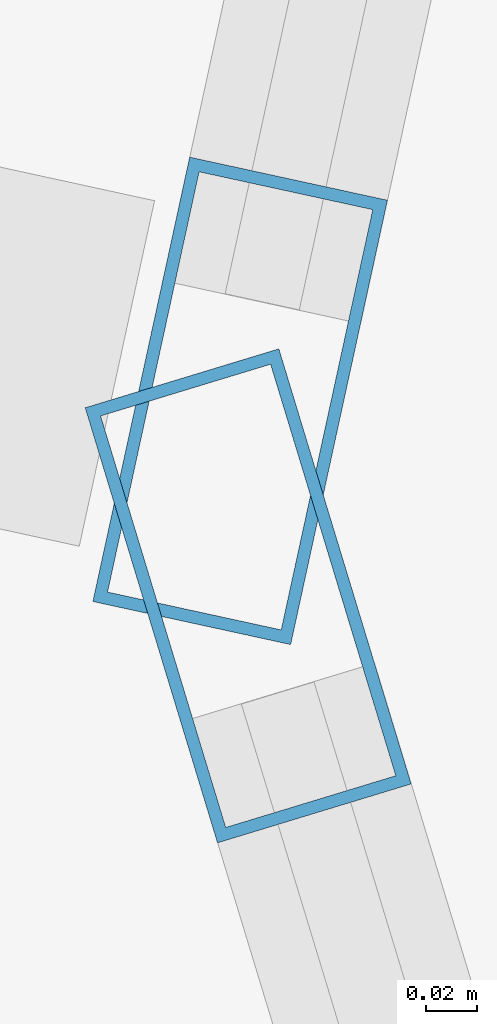
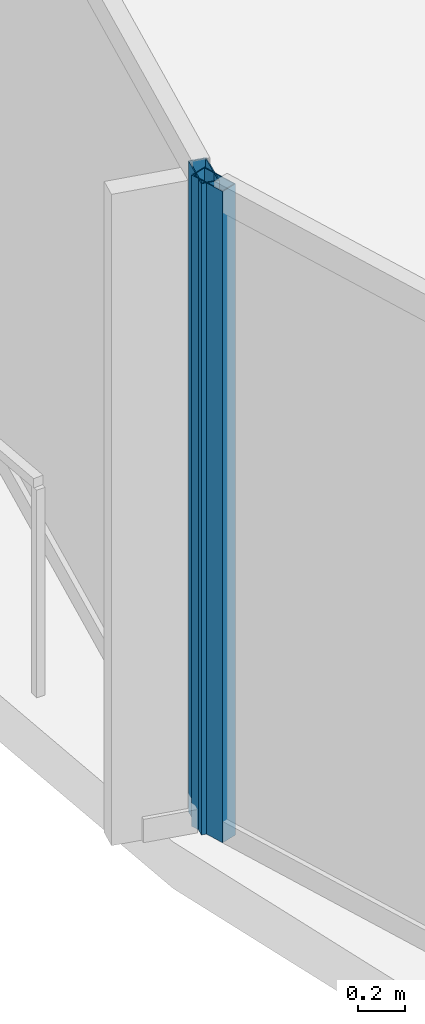
# One storey, part 8 of 34: 2 members, 2 elements without a shape of their own.
"""IFC4 building model written with IfcOpenShell, lengths in metres."""

from ifc_helpers import new_model, si_unit, direction, frame, origin, origin_2d, place, context, subcontext, project, spatial, hollow_rectangle, extrude, material, layer, layer_set, material_profile, profile_set, type_object, element, aggregate, save


model = new_model("IFC4")

# Units and contexts
model_context = context("Model", 3, precision=1e-05, world=origin(), true_north=direction((0.0, 1.0)))
body_context = subcontext(model_context, "Body", "Model", "MODEL_VIEW")
ifc_project = project(units=[si_unit("LENGTHUNIT", "METRE"), si_unit("AREAUNIT", "SQUARE_METRE"), si_unit("VOLUMEUNIT", "CUBIC_METRE"), si_unit("PLANEANGLEUNIT", "RADIAN"), si_unit("MASSUNIT", "GRAM", prefix="KILO")], contexts=[model_context])

# Site, building, storey
site_placement = place(None, origin())
site = spatial("IfcSite", under=ifc_project, at=site_placement, CompositionType="ELEMENT")
building_placement = place(site_placement, origin())
building = spatial("IfcBuilding", under=site, at=building_placement, Name="Kazevale Care Tower and Concert Hall", CompositionType="ELEMENT")
storey_placement = place(building_placement, frame((0.0, 0.0, 174.60009765625)))
storey = spatial("IfcBuildingStorey", under=building, at=storey_placement, Name="L46", CompositionType="ELEMENT", Elevation=174.60009765625)

# Curtain wall, member
ifc_material_1 = material(Name="Aluminium 6063-T6 and Low-E Glass", Category="aluminium")
ifc_layer = layer(ifc_material_1, 0.179931640625)
ifc_layer_set = layer_set([ifc_layer], Name="Aluminium 6063-T6 and Low-E Glass")
curtain_wall_type = type_object("IfcCurtainWallType", Name="Waist & Upper Residential Curtain Wall CW-4", PredefinedType="NOTDEFINED", material=ifc_layer_set)
curtain_wall_1_placement = place(storey_placement, origin())
curtain_wall_1 = element("IfcCurtainWall", 1, at=curtain_wall_1_placement, inside=storey, type_object=curtain_wall_type, Name="cw:L46:f12", PredefinedType="NOTDEFINED")
ifc_material_2 = material(Name="Aluminium 6063-T6", Category="aluminium")
ifc_material_profile = material_profile(ifc_material_2, hollow_rectangle(XDim=0.080078125, YDim=0.179931640625, WallThickness=0.0048828125, at=origin_2d()), Name="ALU80x180x5")
ifc_profile_set = profile_set([ifc_material_profile], Name="Aluminium 6063-T6")
member_type = type_object("IfcMemberType", Name="CW-4 Mullion ALU80x180x5", PredefinedType="MULLION", material=ifc_profile_set)
member_1_placement = place(storey_placement, frame((11.006591796875, 34.98583984375, 0.0), z_axis=(0.0, 0.0, 1.0), x_axis=(-0.956729897234, -0.290977496961, 0.0)))
member_1 = element("IfcMember", 2, at=member_1_placement, type_object=member_type, Name="CW-4 mullion 2", PredefinedType="MULLION", context=body_context, shape_type="SweptSolid", body=[
    extrude(hollow_rectangle(XDim=0.080078125, YDim=0.179931640625, WallThickness=0.0048828125, at=origin_2d()), origin(), (0.0, 0.0, 1.0), 3.35986328125),
])
aggregate(curtain_wall_1, [member_1])

curtain_wall_2_placement = place(storey_placement, origin())
curtain_wall_2 = element("IfcCurtainWall", 3, at=curtain_wall_2_placement, inside=storey, type_object=curtain_wall_type, Name="cw:L46:f13", PredefinedType="NOTDEFINED")
member_2_placement = place(storey_placement, frame((11.00341796875, 35.06298828125, 0.0), z_axis=(0.0, 0.0, 1.0), x_axis=(-0.977090755849, 0.21282305992, 0.0)))
member_2 = element("IfcMember", 4, at=member_2_placement, type_object=member_type, Name="CW-4 mullion 1", PredefinedType="MULLION", context=body_context, shape_type="SweptSolid", body=[
    extrude(hollow_rectangle(XDim=0.080078125, YDim=0.179931640625, WallThickness=0.0048828125, at=origin_2d()), origin(), (0.0, 0.0, 1.0), 3.35986328125),
])
aggregate(curtain_wall_2, [member_2])

save(model, "model.ifc")
